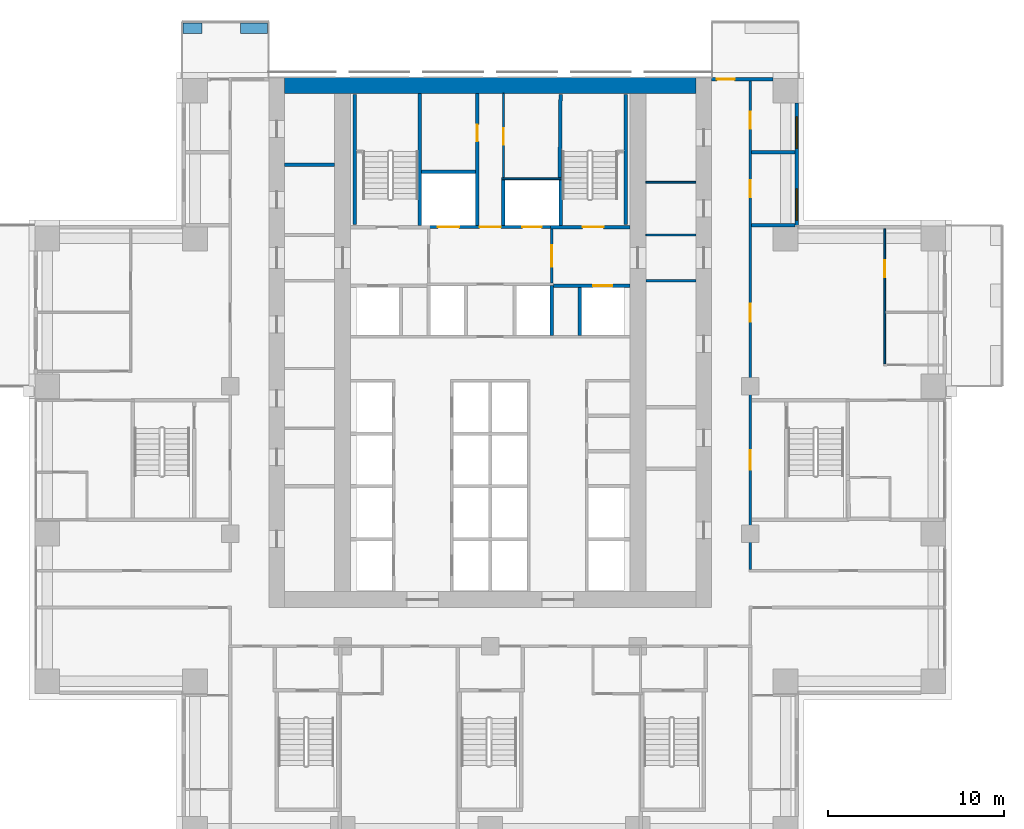
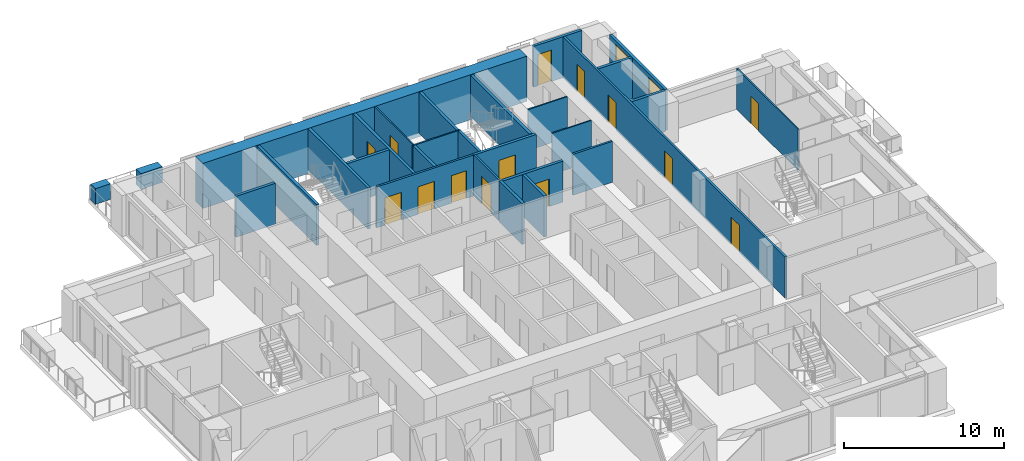
# One storey, part 11 of 16: 29 walls, 14 doors, 2 windows, 16 openings.
"""IFC4 building model written with IfcOpenShell, lengths in metres."""

from ifc_helpers import new_model, si_unit, direction, frame, frame_2d, origin, place, context, subcontext, project, spatial, rectangle, extrude, material, layer, layer_set, type_object, element, fill, save


model = new_model("IFC4")

# Units and contexts
model_context = context("Model", 3, precision=1e-05, world=origin(), true_north=direction((0.0, 1.0)))
body_context = subcontext(model_context, "Body", "Model", "MODEL_VIEW")
ifc_project = project(units=[si_unit("LENGTHUNIT", "METRE"), si_unit("AREAUNIT", "SQUARE_METRE"), si_unit("VOLUMEUNIT", "CUBIC_METRE"), si_unit("PLANEANGLEUNIT", "RADIAN"), si_unit("MASSUNIT", "GRAM", prefix="KILO")], contexts=[model_context])

# Site, building, storey
site_placement = place(None, origin())
site = spatial("IfcSite", under=ifc_project, at=site_placement, CompositionType="ELEMENT")
building_placement = place(site_placement, origin())
building = spatial("IfcBuilding", under=site, at=building_placement, Name="Vermilion Ogive Tower", CompositionType="ELEMENT")
storey_placement = place(building_placement, frame((0.0, 0.0, 44.85009765625)))
storey = spatial("IfcBuildingStorey", under=building, at=storey_placement, Name="L09", CompositionType="ELEMENT", Elevation=44.85009765625)

# Wall
ifc_material_1 = material(Name="Gypsum board partition on steel studs", Category="steel")
ifc_layer_1 = layer(ifc_material_1, 0.10009765625)
ifc_layer_set_1 = layer_set([ifc_layer_1], Name="Partition 100 bath")
wall_type_1 = type_object("IfcWallType", Name="Partition 100 bath", PredefinedType="PARTITIONING", material=ifc_layer_set_1)
wall_1_placement = place(storey_placement, frame((0.64990234375, 16.0, 0.0), z_axis=(0.0, 0.0, 1.0), x_axis=(1.0, 0.0, 0.0)))
element("IfcWall", 1, at=wall_1_placement, inside=storey, type_object=wall_type_1, Name="L09-CK-W-W021", PredefinedType="PARTITIONING", context=body_context, shape_type="SweptSolid", body=[
    extrude(rectangle(XDim=3.4501953125, YDim=0.10009765625, at=frame_2d((1.72509765625, 0.0))), origin(), (0.0, 0.0, 1.0), 3.1298828125),
])

# Wall, opening, door
wall_2_placement = place(storey_placement, frame((0.75, 16.050048828125, 0.0), z_axis=(0.0, 0.0, 1.0), x_axis=(0.0, 1.0, 0.0)))
wall_2 = element("IfcWall", 2, at=wall_2_placement, inside=storey, type_object=wall_type_1, Name="L09-CK-W-W033", PredefinedType="PARTITIONING", context=body_context, shape_type="SweptSolid", body=[
    extrude(rectangle(XDim=4.799072265625, YDim=0.10009765625, at=frame_2d((2.3994140625, 0.0))), origin(), (0.0, 0.0, 1.0), 3.1298828125),
])
opening_1_placement = place(wall_2_placement, frame((1.875, 0.0, 0.0)))
opening_1 = element("IfcOpeningElement", 3, at=opening_1_placement, cuts=wall_2, Name="Opening DAA031", PredefinedType="OPENING", context=body_context, shape_type="SweptSolid", body=[
    extrude(rectangle(XDim=0.949951171875, YDim=2.10009765625, at=frame_2d((0.47509765625, 1.050048828125))), frame((0.0, 0.06005859375, 0.0), z_axis=(0.0, -1.0, 0.0), x_axis=(1.0, 0.0, 0.0)), (0.0, 0.0, 1.0), 0.1201171875),
])
ifc_material_2 = material(Name="Timber door leaf", Category="wood")
door_type_1 = type_object("IfcDoorType", Name="Service door 950 x 2100 FD60", OperationType="SINGLE_SWING_LEFT", PredefinedType="DOOR", material=ifc_material_2)
door_1_placement = place(opening_1_placement, origin())
door_1 = element("IfcDoor", 4, at=door_1_placement, inside=storey, type_object=door_type_1, Name="L09-CK-D-D022", OperationType="SINGLE_SWING_LEFT", OverallHeight=2.10009765625, OverallWidth=0.949951171875, PredefinedType="DOOR", context=body_context, shape_type="SweptSolid", body=[
    extrude(rectangle(XDim=0.949951171875, YDim=2.10009765625, at=frame_2d((0.47509765625, 1.050048828125))), frame((0.0, 0.02490234375, 0.0), z_axis=(0.0, -1.0, 0.0), x_axis=(1.0, 0.0, 0.0)), (0.0, 0.0, 1.0), 0.050048828125),
])
fill(opening_1, door_1)

# Walls
for number, where, z_axis, x_axis, name in (
    (5, (8.85107421875, 12.800048828125, 0.0), (0.0, 0.0, 1.0), (1.0, 0.0, 0.0), "L09-CKE-W-W004"),
    (6, (8.85107421875, 15.800048828125, 0.0), (0.0, 0.0, 1.0), (1.0, 0.0, 0.0), "L09-CKE-W-W005"),
):
    element("IfcWall", number, at=place(storey_placement, frame(where, z_axis=z_axis, x_axis=x_axis)), inside=storey, type_object=wall_type_1, Name=name, PredefinedType="PARTITIONING", context=body_context, shape_type="SweptSolid", body=[
        extrude(rectangle(XDim=2.847900390625, YDim=0.10009765625, at=frame_2d((1.423828125, 0.0))), origin(), (0.0, 0.0, 1.0), 3.1298828125),
    ])

# Wall, opening, door
ifc_material_3 = material(Name="Gypsum board partition on steel studs", Category="steel")
ifc_layer_2 = layer(ifc_material_3, 0.10009765625)
ifc_layer_set_2 = layer_set([ifc_layer_2], Name="Partition 100 inner")
wall_type_2 = type_object("IfcWallType", Name="Partition 100 inner", PredefinedType="PARTITIONING", material=ifc_layer_set_2)
wall_3_placement = place(storey_placement, frame((22.449951171875, 5.449951171875, 0.0), z_axis=(0.0, 0.0, 1.0), x_axis=(0.0, 1.0, 0.0)))
wall_3 = element("IfcWall", 7, at=wall_3_placement, inside=storey, type_object=wall_type_2, Name="L09-W-W072", PredefinedType="PARTITIONING", context=body_context, shape_type="SweptSolid", body=[
    extrude(rectangle(XDim=7.699951171875, YDim=0.10009765625, at=frame_2d((3.85009765625, 0.0))), origin(), (0.0, 0.0, 1.0), 3.1298828125),
])
opening_2_placement = place(wall_3_placement, frame((4.949951171875, 0.0, 0.0)))
opening_2 = element("IfcOpeningElement", 8, at=opening_2_placement, cuts=wall_3, Name="Opening D1G2019", PredefinedType="OPENING", context=body_context, shape_type="SweptSolid", body=[
    extrude(rectangle(XDim=0.949951171875, YDim=2.10009765625, at=frame_2d((0.47509765625, 1.050048828125))), frame((0.0, 0.06005859375, 0.0), z_axis=(0.0, -1.0, 0.0), x_axis=(1.0, 0.0, 0.0)), (0.0, 0.0, 1.0), 0.1201171875),
])
ifc_material_4 = material(Name="Timber door leaf", Category="wood")
door_type_2 = type_object("IfcDoorType", Name="Inner door 950 x 2100 FD30", OperationType="SINGLE_SWING_LEFT", PredefinedType="DOOR", material=ifc_material_4)
door_2_placement = place(opening_2_placement, origin())
door_2 = element("IfcDoor", 9, at=door_2_placement, inside=storey, type_object=door_type_2, Name="L09-D-D019", OperationType="SINGLE_SWING_LEFT", OverallHeight=2.10009765625, OverallWidth=0.949951171875, PredefinedType="DOOR", context=body_context, shape_type="SweptSolid", body=[
    extrude(rectangle(XDim=0.949951171875, YDim=2.10009765625, at=frame_2d((0.47509765625, 1.050048828125))), frame((0.0, 0.02490234375, 0.0), z_axis=(0.0, -1.0, 0.0), x_axis=(1.0, 0.0, 0.0)), (0.0, 0.0, 1.0), 0.050048828125),
])
fill(opening_2, door_2)

# Wall, openings, doors
ifc_material_5 = material(Name="Gypsum board partition on steel studs", Category="steel")
ifc_layer_3 = layer(ifc_material_5, 0.14990234375)
ifc_layer_set_3 = layer_set([ifc_layer_3], Name="Partition 150 corridor")
wall_type_3 = type_object("IfcWallType", Name="Partition 150 corridor", PredefinedType="PARTITIONING", material=ifc_layer_set_3)
wall_4_placement = place(storey_placement, frame((14.800048828125, -6.22509765625, 0.0), z_axis=(0.0, 0.0, 1.0), x_axis=(0.0, 1.0, 0.0)))
wall_4 = element("IfcWall", 10, at=wall_4_placement, inside=storey, type_object=wall_type_3, Name="L09-W-W068", PredefinedType="PARTITIONING", context=body_context, shape_type="SweptSolid", body=[
    extrude(rectangle(XDim=27.775146484375, YDim=0.14990234375, at=frame_2d((13.8876953125, 0.0))), origin(), (0.0, 0.0, 1.0), 3.1298828125),
])
opening_3_placement = place(wall_4_placement, frame((14.10009765625, 0.0, 0.0)))
opening_3 = element("IfcOpeningElement", 11, at=opening_3_placement, cuts=wall_4, Name="Opening D1G2020", PredefinedType="OPENING", context=body_context, shape_type="SweptSolid", body=[
    extrude(rectangle(XDim=1.0, YDim=2.10009765625, at=frame_2d((0.5, 1.050048828125))), frame((0.0, 0.0849609375, 0.0), z_axis=(0.0, -1.0, 0.0), x_axis=(1.0, 0.0, 0.0)), (0.0, 0.0, 1.0), 0.169921875),
])
opening_4_placement = place(wall_4_placement, frame((21.175048828125, 0.0, 0.0)))
opening_4 = element("IfcOpeningElement", 12, at=opening_4_placement, cuts=wall_4, Name="Opening D1G2023", PredefinedType="OPENING", context=body_context, shape_type="SweptSolid", body=[
    extrude(rectangle(XDim=0.949951171875, YDim=2.10009765625, at=frame_2d((0.47509765625, 1.050048828125))), frame((0.0, 0.0849609375, 0.0), z_axis=(0.0, -1.0, 0.0), x_axis=(1.0, 0.0, 0.0)), (0.0, 0.0, 1.0), 0.169921875),
])
opening_5_placement = place(wall_4_placement, frame((25.0751953125, 0.0, 0.0)))
opening_5 = element("IfcOpeningElement", 13, at=opening_5_placement, cuts=wall_4, Name="Opening D1G2024", PredefinedType="OPENING", context=body_context, shape_type="SweptSolid", body=[
    extrude(rectangle(XDim=0.949951171875, YDim=2.10009765625, at=frame_2d((0.47509765625, 1.050048828125))), frame((0.0, 0.0849609375, 0.0), z_axis=(0.0, -1.0, 0.0), x_axis=(1.0, 0.0, 0.0)), (0.0, 0.0, 1.0), 0.169921875),
])
opening_6_placement = place(wall_4_placement, frame((5.675048828125, 0.0, 0.0)))
opening_6 = element("IfcOpeningElement", 14, at=opening_6_placement, cuts=wall_4, Name="Opening D1G2031", PredefinedType="OPENING", context=body_context, shape_type="SweptSolid", body=[
    extrude(rectangle(XDim=1.10009765625, YDim=2.10009765625, at=frame_2d((0.550048828125, 1.050048828125))), frame((0.0, 0.0849609375, 0.0), z_axis=(0.0, -1.0, 0.0), x_axis=(1.0, 0.0, 0.0)), (0.0, 0.0, 1.0), 0.169921875),
])
ifc_material_6 = material(Name="Timber door leaf", Category="wood")
door_type_3 = type_object("IfcDoorType", Name="Stair door 1100 x 2100 FD60S", OperationType="SINGLE_SWING_LEFT", PredefinedType="DOOR", material=ifc_material_6)
door_3_placement = place(opening_6_placement, origin())
door_3 = element("IfcDoor", 15, at=door_3_placement, inside=storey, type_object=door_type_3, Name="L09-D-D031", OperationType="SINGLE_SWING_LEFT", OverallHeight=2.10009765625, OverallWidth=1.10009765625, PredefinedType="DOOR", context=body_context, shape_type="SweptSolid", body=[
    extrude(rectangle(XDim=1.10009765625, YDim=2.10009765625, at=frame_2d((0.550048828125, 1.050048828125))), frame((0.0, 0.02490234375, 0.0), z_axis=(0.0, -1.0, 0.0), x_axis=(1.0, 0.0, 0.0)), (0.0, 0.0, 1.0), 0.050048828125),
])
fill(opening_6, door_3)
ifc_material_7 = material(Name="Timber door leaf", Category="wood")
door_type_4 = type_object("IfcDoorType", Name="Unit door 1000 x 2100 FD30S", OperationType="SINGLE_SWING_LEFT", PredefinedType="DOOR", material=ifc_material_7)
door_4_placement = place(opening_3_placement, origin())
door_4 = element("IfcDoor", 16, at=door_4_placement, inside=storey, type_object=door_type_4, Name="L09-D-D020", OperationType="SINGLE_SWING_RIGHT", OverallHeight=2.10009765625, OverallWidth=1.0, PredefinedType="DOOR", context=body_context, shape_type="SweptSolid", body=[
    extrude(rectangle(XDim=1.0, YDim=2.10009765625, at=frame_2d((0.5, 1.050048828125))), frame((0.0, 0.02490234375, 0.0), z_axis=(0.0, -1.0, 0.0), x_axis=(1.0, 0.0, 0.0)), (0.0, 0.0, 1.0), 0.050048828125),
])
fill(opening_3, door_4)
ifc_material_8 = material(Name="Timber door leaf", Category="wood")
door_type_5 = type_object("IfcDoorType", Name="Unit door 950 x 2100 FD30S", OperationType="SINGLE_SWING_LEFT", PredefinedType="DOOR", material=ifc_material_8)
door_5_placement = place(opening_4_placement, origin())
door_5 = element("IfcDoor", 17, at=door_5_placement, inside=storey, type_object=door_type_5, Name="L09-D-D023", OperationType="SINGLE_SWING_LEFT", OverallHeight=2.10009765625, OverallWidth=0.949951171875, PredefinedType="DOOR", context=body_context, shape_type="SweptSolid", body=[
    extrude(rectangle(XDim=0.949951171875, YDim=2.10009765625, at=frame_2d((0.47509765625, 1.050048828125))), frame((0.0, 0.02490234375, 0.0), z_axis=(0.0, -1.0, 0.0), x_axis=(1.0, 0.0, 0.0)), (0.0, 0.0, 1.0), 0.050048828125),
])
fill(opening_4, door_5)
door_6_placement = place(opening_5_placement, origin())
door_6 = element("IfcDoor", 18, at=door_6_placement, inside=storey, type_object=door_type_5, Name="L09-D-D024", OperationType="SINGLE_SWING_RIGHT", OverallHeight=2.10009765625, OverallWidth=0.949951171875, PredefinedType="DOOR", context=body_context, shape_type="SweptSolid", body=[
    extrude(rectangle(XDim=0.949951171875, YDim=2.10009765625, at=frame_2d((0.47509765625, 1.050048828125))), frame((0.0, 0.02490234375, 0.0), z_axis=(0.0, -1.0, 0.0), x_axis=(1.0, 0.0, 0.0)), (0.0, 0.0, 1.0), 0.050048828125),
])
fill(opening_5, door_6)

wall_5_placement = place(storey_placement, frame((-3.574951171875, 13.25, 0.0), z_axis=(0.0, 0.0, 1.0), x_axis=(1.0, 0.0, 0.0)))
wall_5 = element("IfcWall", 19, at=wall_5_placement, inside=storey, type_object=wall_type_3, Name="L09-CK-W-W019", PredefinedType="PARTITIONING", context=body_context, shape_type="SweptSolid", body=[
    extrude(rectangle(XDim=7.14990234375, YDim=0.14990234375, at=frame_2d((3.574951171875, 0.0))), origin(), (0.0, 0.0, 1.0), 3.1298828125),
])
opening_7_placement = place(wall_5_placement, frame((0.599853515625, 0.0, 0.0)))
opening_7 = element("IfcOpeningElement", 20, at=opening_7_placement, cuts=wall_5, Name="Opening DAA045", PredefinedType="OPENING", context=body_context, shape_type="SweptSolid", body=[
    extrude(rectangle(XDim=1.199951171875, YDim=2.10009765625, at=frame_2d((0.60009765625, 1.050048828125))), frame((0.0, 0.0849609375, 0.0), z_axis=(0.0, -1.0, 0.0), x_axis=(1.0, 0.0, 0.0)), (0.0, 0.0, 1.0), 0.169921875),
])
opening_8_placement = place(wall_5_placement, frame((5.39990234375, 0.0, 0.0)))
opening_8 = element("IfcOpeningElement", 21, at=opening_8_placement, cuts=wall_5, Name="Opening DAA036", PredefinedType="OPENING", context=body_context, shape_type="SweptSolid", body=[
    extrude(rectangle(XDim=1.10009765625, YDim=2.10009765625, at=frame_2d((0.550048828125, 1.050048828125))), frame((0.0, 0.0849609375, 0.0), z_axis=(0.0, -1.0, 0.0), x_axis=(1.0, 0.0, 0.0)), (0.0, 0.0, 1.0), 0.169921875),
])
opening_9_placement = place(wall_5_placement, frame((2.974853515625, 0.0, 0.0)))
opening_9 = element("IfcOpeningElement", 22, at=opening_9_placement, cuts=wall_5, Name="Opening DAA026", PredefinedType="OPENING", context=body_context, shape_type="SweptSolid", body=[
    extrude(rectangle(XDim=1.199951171875, YDim=2.10009765625, at=frame_2d((0.60009765625, 1.050048828125))), frame((0.0, 0.0849609375, 0.0), z_axis=(0.0, -1.0, 0.0), x_axis=(1.0, 0.0, 0.0)), (0.0, 0.0, 1.0), 0.169921875),
])
ifc_material_9 = material(Name="Stainless steel", Category="steel")
door_type_6 = type_object("IfcDoorType", Name="Lift landing door 1100 x 2100", OperationType="SLIDING_TO_LEFT", PredefinedType="DOOR", material=ifc_material_9)
door_7_placement = place(opening_8_placement, origin())
door_7 = element("IfcDoor", 23, at=door_7_placement, inside=storey, type_object=door_type_6, Name="L09-CK-D-D019", OperationType="SLIDING_TO_LEFT", OverallHeight=2.10009765625, OverallWidth=1.10009765625, PredefinedType="DOOR", context=body_context, shape_type="SweptSolid", body=[
    extrude(rectangle(XDim=1.10009765625, YDim=2.10009765625, at=frame_2d((0.550048828125, 1.050048828125))), frame((0.0, 0.02490234375, 0.0), z_axis=(0.0, -1.0, 0.0), x_axis=(1.0, 0.0, 0.0)), (0.0, 0.0, 1.0), 0.050048828125),
])
fill(opening_8, door_7)
ifc_material_10 = material(Name="Stainless steel", Category="steel")
door_type_7 = type_object("IfcDoorType", Name="Lift landing door 1200 x 2100", OperationType="SLIDING_TO_LEFT", PredefinedType="DOOR", material=ifc_material_10)
door_8_placement = place(opening_7_placement, origin())
door_8 = element("IfcDoor", 24, at=door_8_placement, inside=storey, type_object=door_type_7, Name="L09-CK-D-D018", OperationType="SLIDING_TO_RIGHT", OverallHeight=2.10009765625, OverallWidth=1.199951171875, PredefinedType="DOOR", context=body_context, shape_type="SweptSolid", body=[
    extrude(rectangle(XDim=1.199951171875, YDim=2.10009765625, at=frame_2d((0.60009765625, 1.050048828125))), frame((0.0, 0.02490234375, 0.0), z_axis=(0.0, -1.0, 0.0), x_axis=(1.0, 0.0, 0.0)), (0.0, 0.0, 1.0), 0.050048828125),
])
fill(opening_7, door_8)
ifc_material_11 = material(Name="Timber door leaf", Category="wood")
door_type_8 = type_object("IfcDoorType", Name="Service door 1200 x 2100 FD60", OperationType="SINGLE_SWING_LEFT", PredefinedType="DOOR", material=ifc_material_11)
door_9_placement = place(opening_9_placement, origin())
door_9 = element("IfcDoor", 25, at=door_9_placement, inside=storey, type_object=door_type_8, Name="L09-CK-D-D020", OperationType="SINGLE_SWING_RIGHT", OverallHeight=2.10009765625, OverallWidth=1.199951171875, PredefinedType="DOOR", context=body_context, shape_type="SweptSolid", body=[
    extrude(rectangle(XDim=1.199951171875, YDim=2.10009765625, at=frame_2d((0.60009765625, 1.050048828125))), frame((0.0, 0.02490234375, 0.0), z_axis=(0.0, -1.0, 0.0), x_axis=(1.0, 0.0, 0.0)), (0.0, 0.0, 1.0), 0.050048828125),
])
fill(opening_9, door_9)

# Wall, opening, door
wall_6_placement = place(storey_placement, frame((3.5, 10.074951171875, 0.0), z_axis=(0.0, 0.0, 1.0), x_axis=(0.0, 1.0, 0.0)))
wall_6 = element("IfcWall", 26, at=wall_6_placement, inside=storey, type_object=wall_type_3, Name="L09-CK-W-W037", PredefinedType="PARTITIONING", context=body_context, shape_type="SweptSolid", body=[
    extrude(rectangle(XDim=3.074951171875, YDim=0.14990234375, at=frame_2d((1.53759765625, 0.0))), origin(), (0.0, 0.0, 1.0), 3.1298828125),
])
opening_10_placement = place(wall_6_placement, frame((0.925048828125, 0.0, 0.0)))
opening_10 = element("IfcOpeningElement", 27, at=opening_10_placement, cuts=wall_6, Name="Opening DAA023", PredefinedType="OPENING", context=body_context, shape_type="SweptSolid", body=[
    extrude(rectangle(XDim=1.199951171875, YDim=2.10009765625, at=frame_2d((0.60009765625, 1.050048828125))), frame((0.0, 0.0849609375, 0.0), z_axis=(0.0, -1.0, 0.0), x_axis=(1.0, 0.0, 0.0)), (0.0, 0.0, 1.0), 0.169921875),
])
ifc_material_12 = material(Name="Timber door leaf", Category="wood")
door_type_9 = type_object("IfcDoorType", Name="Lobby door 1200 x 2100 FD60S", OperationType="SINGLE_SWING_LEFT", PredefinedType="DOOR", material=ifc_material_12)
door_10_placement = place(opening_10_placement, origin())
door_10 = element("IfcDoor", 28, at=door_10_placement, inside=storey, type_object=door_type_9, Name="L09-CK-D-D024", OperationType="SINGLE_SWING_LEFT", OverallHeight=2.10009765625, OverallWidth=1.199951171875, PredefinedType="DOOR", context=body_context, shape_type="SweptSolid", body=[
    extrude(rectangle(XDim=1.199951171875, YDim=2.10009765625, at=frame_2d((0.60009765625, 1.050048828125))), frame((0.0, 0.02490234375, 0.0), z_axis=(0.0, -1.0, 0.0), x_axis=(1.0, 0.0, 0.0)), (0.0, 0.0, 1.0), 0.050048828125),
])
fill(opening_10, door_10)

# Walls
wall_7_placement = place(storey_placement, frame((8.85107421875, 10.199951171875, 0.0), z_axis=(0.0, 0.0, 1.0), x_axis=(1.0, 0.0, 0.0)))
element("IfcWall", 29, at=wall_7_placement, inside=storey, type_object=wall_type_3, Name="L09-CKE-W-W003", PredefinedType="PARTITIONING", context=body_context, shape_type="SweptSolid", body=[
    extrude(rectangle(XDim=2.847900390625, YDim=0.14990234375, at=frame_2d((1.423828125, 0.0))), origin(), (0.0, 0.0, 1.0), 3.1298828125),
])
ifc_material_13 = material(Name="Gypsum board partition on steel studs", Category="steel")
ifc_layer_4 = layer(ifc_material_13, 0.199951171875)
ifc_layer_set_4 = layer_set([ifc_layer_4], Name="Partition 200 party")
wall_type_4 = type_object("IfcWallType", Name="Partition 200 party", PredefinedType="PARTITIONING", material=ifc_layer_set_4)
for number, where, z_axis, x_axis, name in (
    (30, (14.875, 13.35009765625, 0.0), (0.0, 0.0, 1.0), (1.0, 0.0, 0.0), "L09-W-W038"),
    (31, (14.875, 17.5, 0.0), (0.0, 0.0, 1.0), (1.0, 0.0, 0.0), "L09-W-W040"),
):
    element("IfcWall", number, at=place(storey_placement, frame(where, z_axis=z_axis, x_axis=x_axis)), inside=storey, type_object=wall_type_4, Name=name, PredefinedType="PARTITIONING", context=body_context, shape_type="SweptSolid", body=[
        extrude(rectangle(XDim=2.47509765625, YDim=0.199951171875, at=frame_2d((1.237548828125, 0.0))), origin(), (0.0, 0.0, 1.0), 3.1298828125),
    ])

# Wall, opening, door
wall_8_placement = place(storey_placement, frame((3.60009765625, 9.89990234375, 0.0), z_axis=(0.0, 0.0, 1.0), x_axis=(1.0, 0.0, 0.0)))
wall_8 = element("IfcWall", 32, at=wall_8_placement, inside=storey, type_object=wall_type_4, Name="L09-CK-W-W016", PredefinedType="PARTITIONING", context=body_context, shape_type="SweptSolid", body=[
    extrude(rectangle(XDim=4.348876953125, YDim=0.199951171875, at=frame_2d((2.17431640625, 0.0))), origin(), (0.0, 0.0, 1.0), 3.1298828125),
])
opening_11_placement = place(wall_8_placement, frame((2.25, 0.0, 0.0)))
opening_11 = element("IfcOpeningElement", 33, at=opening_11_placement, cuts=wall_8, Name="Opening DAA035", PredefinedType="OPENING", context=body_context, shape_type="SweptSolid", body=[
    extrude(rectangle(XDim=1.10009765625, YDim=2.10009765625, at=frame_2d((0.550048828125, 1.050048828125))), frame((0.0, 0.10986328125, 0.0), z_axis=(0.0, -1.0, 0.0), x_axis=(1.0, 0.0, 0.0)), (0.0, 0.0, 1.0), 0.219970703125),
])
door_11_placement = place(opening_11_placement, origin())
door_11 = element("IfcDoor", 34, at=door_11_placement, inside=storey, type_object=door_type_6, Name="L09-CK-D-D015", OperationType="SLIDING_TO_LEFT", OverallHeight=2.10009765625, OverallWidth=1.10009765625, PredefinedType="DOOR", context=body_context, shape_type="SweptSolid", body=[
    extrude(rectangle(XDim=1.10009765625, YDim=2.10009765625, at=frame_2d((0.550048828125, 1.050048828125))), frame((0.0, 0.02490234375, 0.0), z_axis=(0.0, -1.0, 0.0), x_axis=(1.0, 0.0, 0.0)), (0.0, 0.0, 1.0), 0.050048828125),
])
fill(opening_11, door_11)

# Wall
wall_9_placement = place(storey_placement, frame((-3.89990234375, 16.39990234375, 0.0), z_axis=(0.0, 0.0, 1.0), x_axis=(1.0, 0.0, 0.0)))
element("IfcWall", 35, at=wall_9_placement, inside=storey, type_object=wall_type_4, Name="L09-CK-W-W022", PredefinedType="PARTITIONING", context=body_context, shape_type="SweptSolid", body=[
    extrude(rectangle(XDim=3.0498046875, YDim=0.199951171875, at=frame_2d((1.52490234375, 0.0))), origin(), (0.0, 0.0, 1.0), 3.1298828125),
])

# Wall, opening, door
wall_10_placement = place(storey_placement, frame((-0.75, 13.324951171875, 0.0), z_axis=(0.0, 0.0, 1.0), x_axis=(0.0, 1.0, 0.0)))
wall_10 = element("IfcWall", 36, at=wall_10_placement, inside=storey, type_object=wall_type_4, Name="L09-CK-W-W030", PredefinedType="PARTITIONING", context=body_context, shape_type="SweptSolid", body=[
    extrude(rectangle(XDim=7.524169921875, YDim=0.199951171875, at=frame_2d((3.76220703125, 0.0))), origin(), (0.0, 0.0, 1.0), 3.1298828125),
])
opening_12_placement = place(wall_10_placement, frame((4.800048828125, 0.0, 0.0)))
opening_12 = element("IfcOpeningElement", 37, at=opening_12_placement, cuts=wall_10, Name="Opening DAA030", PredefinedType="OPENING", context=body_context, shape_type="SweptSolid", body=[
    extrude(rectangle(XDim=0.949951171875, YDim=2.10009765625, at=frame_2d((0.47509765625, 1.050048828125))), frame((0.0, 0.10986328125, 0.0), z_axis=(0.0, -1.0, 0.0), x_axis=(1.0, 0.0, 0.0)), (0.0, 0.0, 1.0), 0.219970703125),
])
door_12_placement = place(opening_12_placement, origin())
door_12 = element("IfcDoor", 38, at=door_12_placement, inside=storey, type_object=door_type_1, Name="L09-CK-D-D021", OperationType="SINGLE_SWING_RIGHT", OverallHeight=2.10009765625, OverallWidth=0.949951171875, PredefinedType="DOOR", context=body_context, shape_type="SweptSolid", body=[
    extrude(rectangle(XDim=0.949951171875, YDim=2.10009765625, at=frame_2d((0.47509765625, 1.050048828125))), frame((0.0, 0.02490234375, 0.0), z_axis=(0.0, -1.0, 0.0), x_axis=(1.0, 0.0, 0.0)), (0.0, 0.0, 1.0), 0.050048828125),
])
fill(opening_12, door_12)

# Walls
wall_11_placement = place(storey_placement, frame((0.75, 13.324951171875, 0.0), z_axis=(0.0, 0.0, 1.0), x_axis=(0.0, 1.0, 0.0)))
element("IfcWall", 39, at=wall_11_placement, inside=storey, type_object=wall_type_4, Name="L09-CK-W-W032", PredefinedType="PARTITIONING", context=body_context, shape_type="SweptSolid", body=[
    extrude(rectangle(XDim=2.625, YDim=0.199951171875, at=frame_2d((1.3125, 0.0))), origin(), (0.0, 0.0, 1.0), 3.1298828125),
])
wall_12_placement = place(storey_placement, frame((3.5, 7.074951171875, 0.0), z_axis=(0.0, 0.0, 1.0), x_axis=(0.0, 1.0, 0.0)))
element("IfcWall", 40, at=wall_12_placement, inside=storey, type_object=wall_type_4, Name="L09-CK-W-W036", PredefinedType="PARTITIONING", context=body_context, shape_type="SweptSolid", body=[
    extrude(rectangle(XDim=2.85009765625, YDim=0.199951171875, at=frame_2d((1.425048828125, 0.0))), origin(), (0.0, 0.0, 1.0), 3.1298828125),
])
wall_13_placement = place(storey_placement, frame((5.10009765625, 7.074951171875, 0.0), z_axis=(0.0, 0.0, 1.0), x_axis=(0.0, 1.0, 0.0)))
element("IfcWall", 41, at=wall_13_placement, inside=storey, type_object=wall_type_4, Name="L09-CK-W-W040", PredefinedType="PARTITIONING", context=body_context, shape_type="SweptSolid", body=[
    extrude(rectangle(XDim=2.72509765625, YDim=0.199951171875, at=frame_2d((1.362548828125, 0.0))), origin(), (0.0, 0.0, 1.0), 3.1298828125),
])
wall_14_placement = place(storey_placement, frame((-11.698974609375, 16.800048828125, 0.0), z_axis=(0.0, 0.0, 1.0), x_axis=(1.0, 0.0, 0.0)))
element("IfcWall", 42, at=wall_14_placement, inside=storey, type_object=wall_type_4, Name="L09-CKW-W-W006", PredefinedType="PARTITIONING", context=body_context, shape_type="SweptSolid", body=[
    extrude(rectangle(XDim=2.847900390625, YDim=0.199951171875, at=frame_2d((1.423828125, 0.0))), origin(), (0.0, 0.0, 1.0), 3.1298828125),
])
ifc_material_14 = material(Name="Concrete B60", Category="concrete")
ifc_layer_5 = layer(ifc_material_14, 0.199951171875)
ifc_layer_set_5 = layer_set([ifc_layer_5], Name="Stair shaft wall 200 Concrete B60")
wall_type_5 = type_object("IfcWallType", Name="Stair shaft wall 200 Concrete B60", PredefinedType="SOLIDWALL", material=ifc_layer_set_5)
wall_15_placement = place(storey_placement, frame((-11.699951171875, 21.300048828125, -0.320068359375), z_axis=(0.0, 0.0, 1.0), x_axis=(1.0, 0.0, 0.0)))
element("IfcWall", 43, at=wall_15_placement, inside=storey, type_object=wall_type_5, Name="L09-CORE-N", PredefinedType="SOLIDWALL", context=body_context, shape_type="SweptSolid", body=[
    extrude(rectangle(XDim=23.39990234375, YDim=0.89990234375, at=frame_2d((11.699951171875, 0.0))), origin(), (0.0, 0.0, 1.0), 3.449951171875),
])

# Wall, opening, door
wall_16_placement = place(storey_placement, frame((3.425048828125, 13.25, 0.0), z_axis=(0.0, 0.0, 1.0), x_axis=(1.0, 0.0, 0.0)))
wall_16 = element("IfcWall", 44, at=wall_16_placement, inside=storey, type_object=wall_type_5, Name="L09-CK-W-W020", PredefinedType="SOLIDWALL", context=body_context, shape_type="SweptSolid", body=[
    extrude(rectangle(XDim=4.52392578125, YDim=0.199951171875, at=frame_2d((2.261962890625, 0.0))), origin(), (0.0, 0.0, 1.0), 3.1298828125),
])
opening_13_placement = place(wall_16_placement, frame((1.824951171875, 0.0, 0.0)))
opening_13 = element("IfcOpeningElement", 45, at=opening_13_placement, cuts=wall_16, Name="Opening DAA033", PredefinedType="OPENING", context=body_context, shape_type="SweptSolid", body=[
    extrude(rectangle(XDim=1.199951171875, YDim=2.10009765625, at=frame_2d((0.60009765625, 1.050048828125))), frame((0.0, 0.10986328125, 0.0), z_axis=(0.0, -1.0, 0.0), x_axis=(1.0, 0.0, 0.0)), (0.0, 0.0, 1.0), 0.219970703125),
])
ifc_material_15 = material(Name="Timber door leaf", Category="wood")
door_type_10 = type_object("IfcDoorType", Name="Stair door 1200 x 2100 FD60S", OperationType="SINGLE_SWING_LEFT", PredefinedType="DOOR", material=ifc_material_15)
door_13_placement = place(opening_13_placement, origin())
door_13 = element("IfcDoor", 46, at=door_13_placement, inside=storey, type_object=door_type_10, Name="L09-CK-D-D014", OperationType="SINGLE_SWING_RIGHT", OverallHeight=2.10009765625, OverallWidth=1.199951171875, PredefinedType="DOOR", context=body_context, shape_type="SweptSolid", body=[
    extrude(rectangle(XDim=1.199951171875, YDim=2.10009765625, at=frame_2d((0.60009765625, 1.050048828125))), frame((0.0, 0.02490234375, 0.0), z_axis=(0.0, -1.0, 0.0), x_axis=(1.0, 0.0, 0.0)), (0.0, 0.0, 1.0), 0.050048828125),
])
fill(opening_13, door_13)

# Walls
wall_17_placement = place(storey_placement, frame((-4.0, 13.35009765625, 0.0), z_axis=(0.0, 0.0, 1.0), x_axis=(0.0, 1.0, 0.0)))
element("IfcWall", 47, at=wall_17_placement, inside=storey, type_object=wall_type_5, Name="L09-CK-W-W025", PredefinedType="SOLIDWALL", context=body_context, shape_type="SweptSolid", body=[
    extrude(rectangle(XDim=7.4990234375, YDim=0.199951171875, at=frame_2d((3.74951171875, 0.0))), origin(), (0.0, 0.0, 1.0), 3.1298828125),
])
wall_18_placement = place(storey_placement, frame((4.0, 13.35009765625, 0.0), z_axis=(0.0, 0.0, 1.0), x_axis=(0.0, 1.0, 0.0)))
element("IfcWall", 48, at=wall_18_placement, inside=storey, type_object=wall_type_5, Name="L09-CK-W-W038", PredefinedType="SOLIDWALL", context=body_context, shape_type="SweptSolid", body=[
    extrude(rectangle(XDim=2.599853515625, YDim=0.199951171875, at=frame_2d((1.2998046875, 0.0))), origin(), (0.0, 0.0, 1.0), 3.1298828125),
])
wall_19_placement = place(storey_placement, frame((3.949951171875, 16.050048828125, 0.0), z_axis=(0.0, 0.0, 1.0), x_axis=(0.010538176883, 0.999944471872, 0.0)))
element("IfcWall", 49, at=wall_19_placement, inside=storey, type_object=wall_type_5, Name="L09-CK-W-W039", PredefinedType="SOLIDWALL", context=body_context, shape_type="SweptSolid", body=[
    extrude(rectangle(XDim=4.749267578125, YDim=0.199951171875, at=frame_2d((2.37451171875, 0.0))), origin(), (0.0, 0.0, 1.0), 3.1298828125),
])
for number, where, z_axis, x_axis, name in (
    (50, (-7.699951171875, 13.39990234375, 0.0), (0.0, 0.0, 1.0), (0.0, 1.0, 0.0), "L09-SW-R023-W1"),
    (51, (7.699951171875, 13.39990234375, 0.0), (0.0, 0.0, 1.0), (0.0, 1.0, 0.0), "L09-SW-R027-E1"),
):
    element("IfcWall", number, at=place(storey_placement, frame(where, z_axis=z_axis, x_axis=x_axis)), inside=storey, type_object=wall_type_5, Name=name, PredefinedType="SOLIDWALL", context=body_context, shape_type="SweptSolid", body=[
        extrude(rectangle(XDim=7.400146484375, YDim=0.199951171875, at=frame_2d((3.7001953125, 0.0))), origin(), (0.0, 0.0, 1.0), 3.1298828125),
    ])
ifc_material_16 = material(Name="Concrete B40", Category="concrete")
ifc_layer_6 = layer(ifc_material_16, 0.60009765625)
ifc_layer_set_6 = layer_set([ifc_layer_6], Name="Structural planter")
wall_type_6 = type_object("IfcWallType", Name="Structural planter", PredefinedType="USERDEFINED", material=ifc_layer_set_6)
wall_20_placement = place(storey_placement, frame((-12.659912109375, 24.550048828125, -0.0400390625), z_axis=(0.0, 0.0, 1.0), x_axis=(-1.0, 0.0, 0.0)))
element("IfcWall", 52, at=wall_20_placement, inside=storey, type_object=wall_type_6, Name="Planter N201A1", ObjectType="PLANTER", PredefinedType="USERDEFINED", context=body_context, shape_type="SweptSolid", body=[
    extrude(rectangle(XDim=1.5400390625, YDim=0.60009765625, at=frame_2d((0.77001953125, 0.0))), origin(), (0.0, 0.0, 1.0), 1.199951171875),
])
wall_21_placement = place(storey_placement, frame((-16.39990234375, 24.550048828125, -0.0400390625), z_axis=(0.0, 0.0, 1.0), x_axis=(-1.0, 0.0, 0.0)))
element("IfcWall", 53, at=wall_21_placement, inside=storey, type_object=wall_type_6, Name="Planter N201A2", ObjectType="PLANTER", PredefinedType="USERDEFINED", context=body_context, shape_type="SweptSolid", body=[
    extrude(rectangle(XDim=1.090087890625, YDim=0.60009765625, at=frame_2d((0.544921875, 0.0))), origin(), (0.0, 0.0, 1.0), 1.199951171875),
])

# Wall, openings, windows
ifc_material_17 = material(Name="Aluminium window wall framing", Category="aluminium")
ifc_layer_7 = layer(ifc_material_17, 0.199951171875)
ifc_layer_set_7 = layer_set([ifc_layer_7], Name="Window wall")
wall_type_7 = type_object("IfcWallType", Name="Window wall", PredefinedType="STANDARD", material=ifc_layer_set_7)
wall_22_placement = place(storey_placement, frame((17.449951171875, 13.35009765625, 0.0), z_axis=(0.0, 0.0, 1.0), x_axis=(0.0, 1.0, 0.0)))
wall_22 = element("IfcWall", 54, at=wall_22_placement, inside=storey, type_object=wall_type_7, Name="Window wall X41", PredefinedType="STANDARD", context=body_context, shape_type="SweptSolid", body=[
    extrude(rectangle(XDim=6.949951171875, YDim=0.199951171875, at=frame_2d((3.47509765625, 0.0))), origin(), (0.0, 0.0, 1.0), 3.1298828125),
])
opening_14_placement = place(wall_22_placement, frame((0.27490234375, 0.0, 0.199951171875)))
opening_14 = element("IfcOpeningElement", 55, at=opening_14_placement, cuts=wall_22, Name="Opening W1-X403", PredefinedType="OPENING", context=body_context, shape_type="SweptSolid", body=[
    extrude(rectangle(XDim=1.800048828125, YDim=2.64990234375, at=frame_2d((0.89990234375, 1.324951171875))), frame((0.0, 0.10986328125, 0.0), z_axis=(0.0, -1.0, 0.0), x_axis=(1.0, 0.0, 0.0)), (0.0, 0.0, 1.0), 0.219970703125),
])
opening_15_placement = place(wall_22_placement, frame((4.3701171875, 0.0, 0.199951171875)))
opening_15 = element("IfcOpeningElement", 56, at=opening_15_placement, cuts=wall_22, Name="Opening W1-X404", PredefinedType="OPENING", context=body_context, shape_type="SweptSolid", body=[
    extrude(rectangle(XDim=1.800048828125, YDim=2.64990234375, at=frame_2d((0.89990234375, 1.324951171875))), frame((0.0, 0.10986328125, 0.0), z_axis=(0.0, -1.0, 0.0), x_axis=(1.0, 0.0, 0.0)), (0.0, 0.0, 1.0), 0.219970703125),
])
ifc_material_18 = material(Name="Aluminium framed double glazing", Category="aluminium")
window_type = type_object("IfcWindowType", Name="Guest window W1", PartitioningType="SINGLE_PANEL", PredefinedType="WINDOW", material=ifc_material_18)
window_1_placement = place(opening_14_placement, origin())
window_1 = element("IfcWindow", 57, at=window_1_placement, inside=storey, type_object=window_type, Name="Window X403", OverallHeight=2.64990234375, OverallWidth=1.800048828125, PartitioningType="SINGLE_PANEL", PredefinedType="WINDOW", context=body_context, shape_type="SweptSolid", body=[
    extrude(rectangle(XDim=1.800048828125, YDim=2.64990234375, at=frame_2d((0.89990234375, 1.324951171875))), frame((0.0, 0.030029296875, 0.0), z_axis=(0.0, -1.0, 0.0), x_axis=(1.0, 0.0, 0.0)), (0.0, 0.0, 1.0), 0.06005859375),
])
fill(opening_14, window_1)
window_2_placement = place(opening_15_placement, origin())
window_2 = element("IfcWindow", 58, at=window_2_placement, inside=storey, type_object=window_type, Name="Window X404", OverallHeight=2.64990234375, OverallWidth=1.800048828125, PartitioningType="SINGLE_PANEL", PredefinedType="WINDOW", context=body_context, shape_type="SweptSolid", body=[
    extrude(rectangle(XDim=1.800048828125, YDim=2.64990234375, at=frame_2d((0.89990234375, 1.324951171875))), frame((0.0, 0.030029296875, 0.0), z_axis=(0.0, -1.0, 0.0), x_axis=(1.0, 0.0, 0.0)), (0.0, 0.0, 1.0), 0.06005859375),
])
fill(opening_15, window_2)

# Wall, opening, door
wall_23_placement = place(storey_placement, frame((16.10009765625, 21.64990234375, 0.0), z_axis=(0.0, 0.0, 1.0), x_axis=(-1.0, 0.0, 0.0)))
wall_23 = element("IfcWall", 59, at=wall_23_placement, inside=storey, type_object=wall_type_7, Name="Window wall N11", PredefinedType="STANDARD", context=body_context, shape_type="SweptSolid", body=[
    extrude(rectangle(XDim=3.5, YDim=0.199951171875, at=frame_2d((1.75, 0.0))), origin(), (0.0, 0.0, 1.0), 3.1298828125),
])
opening_16_placement = place(wall_23_placement, frame((2.199951171875, 0.0, 0.0)))
opening_16 = element("IfcOpeningElement", 60, at=opening_16_placement, cuts=wall_23, Name="Opening D1-N103", PredefinedType="OPENING", context=body_context, shape_type="SweptSolid", body=[
    extrude(rectangle(XDim=1.0, YDim=2.39990234375, at=frame_2d((0.5, 1.199951171875))), frame((0.0, 0.10986328125, 0.0), z_axis=(0.0, -1.0, 0.0), x_axis=(1.0, 0.0, 0.0)), (0.0, 0.0, 1.0), 0.219970703125),
])
ifc_material_19 = material(Name="Aluminium framed glazed door", Category="aluminium")
door_type_11 = type_object("IfcDoorType", Name="Balcony door D1", OperationType="SINGLE_SWING_LEFT", PredefinedType="DOOR", material=ifc_material_19)
door_14_placement = place(opening_16_placement, origin())
door_14 = element("IfcDoor", 61, at=door_14_placement, inside=storey, type_object=door_type_11, Name="Balcony door N103", OperationType="SINGLE_SWING_LEFT", OverallHeight=2.39990234375, OverallWidth=1.0, PredefinedType="DOOR", context=body_context, shape_type="SweptSolid", body=[
    extrude(rectangle(XDim=1.0, YDim=2.39990234375, at=frame_2d((0.5, 1.199951171875))), frame((0.0, 0.02490234375, 0.0), z_axis=(0.0, -1.0, 0.0), x_axis=(1.0, 0.0, 0.0)), (0.0, 0.0, 1.0), 0.050048828125),
])
fill(opening_16, door_14)

save(model, "model.ifc")
